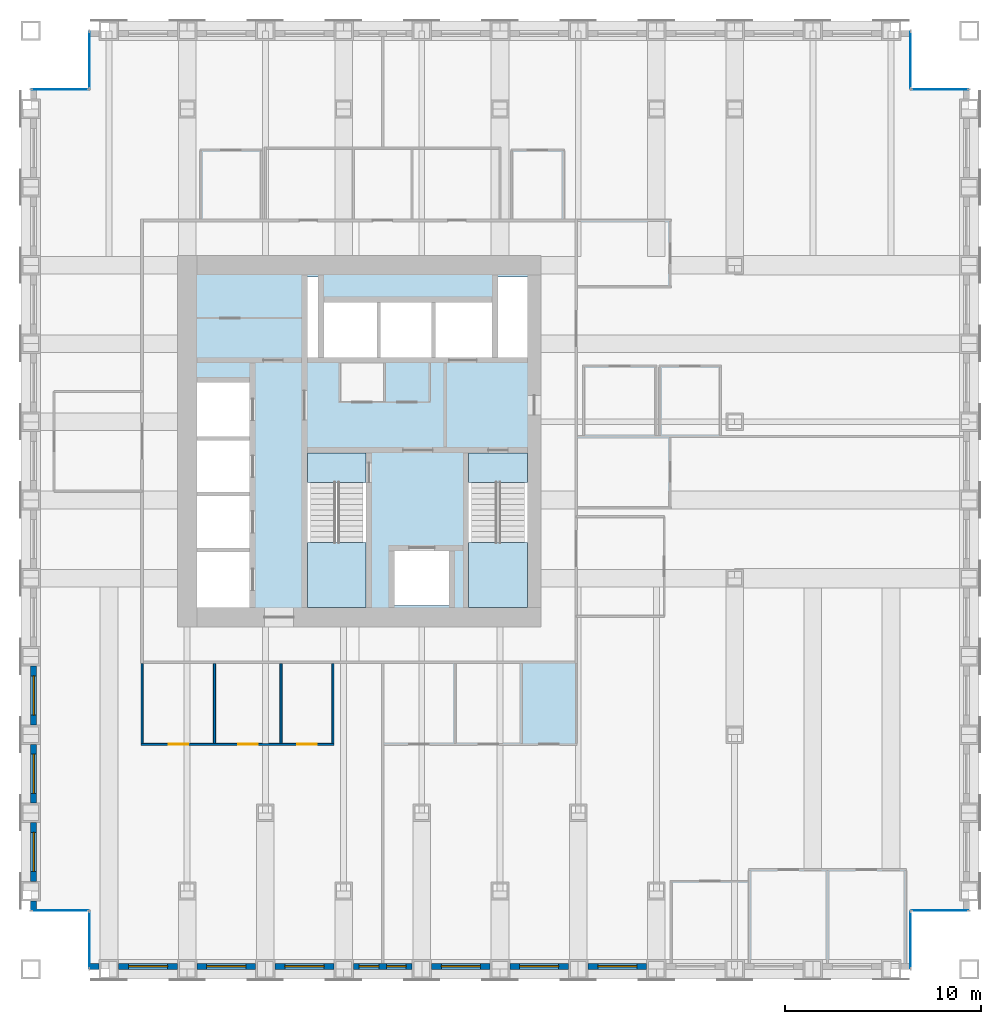
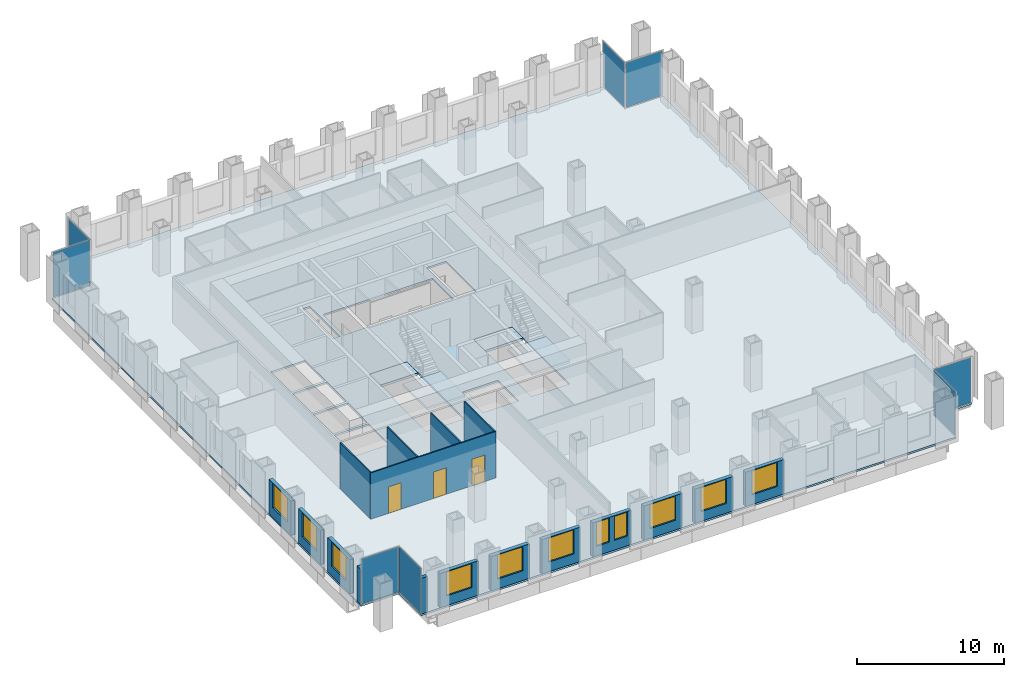
# One storey, part 10 of 16: 17 walls, 11 windows, 8 plates, 5 slabs, 3 doors, 14 openings, 10 elements without a shape of their own.
"""IFC4 building model written with IfcOpenShell, lengths in metres."""

from ifc_helpers import new_model, si_unit, direction, frame, frame_2d, origin, origin_2d, place, context, subcontext, project, spatial, polyline, rectangle, outline, extrude, material, layer, layer_set, type_object, element, fill, aggregate, save


model = new_model("IFC4")

# Units and contexts
model_context = context("Model", 3, precision=1e-05, world=origin(), true_north=direction((0.0, 1.0)))
body_context = subcontext(model_context, "Body", "Model", "MODEL_VIEW")
ifc_project = project(units=[si_unit("LENGTHUNIT", "METRE"), si_unit("AREAUNIT", "SQUARE_METRE"), si_unit("VOLUMEUNIT", "CUBIC_METRE"), si_unit("PLANEANGLEUNIT", "RADIAN"), si_unit("MASSUNIT", "GRAM", prefix="KILO")], contexts=[model_context])

# Site, building, storey
site_placement = place(None, origin())
site = spatial("IfcSite", under=ifc_project, at=site_placement, CompositionType="ELEMENT")
building_placement = place(site_placement, origin())
building = spatial("IfcBuilding", under=site, at=building_placement, Name="Rimbunsela Tower", CompositionType="ELEMENT")
storey_placement = place(building_placement, frame((0.0, 0.0, 97.39990234375)))
storey = spatial("IfcBuildingStorey", under=building, at=storey_placement, Name="L23", CompositionType="ELEMENT", Elevation=97.39990234375)

# Slab
ifc_material_1 = material(Name="Concrete fc' 35 MPa", Category="concrete")
ifc_layer_1 = layer(ifc_material_1, 0.14990234375)
ifc_layer_set_1 = layer_set([ifc_layer_1], Name="Floor slab 150")
slab_type_1 = type_object("IfcSlabType", Name="Floor slab 150", PredefinedType="FLOOR", material=ifc_layer_set_1)
slab_1_placement = place(storey_placement, frame((0.0, 0.0, -0.14990234375)))
element("IfcSlab", 1, at=slab_1_placement, inside=storey, type_object=slab_type_1, Name="Floor slab L23", PredefinedType="FLOOR", context=body_context, shape_type="SweptSolid", body=[
    extrude(outline(polyline([(13.0, 0.0), (55.0, 0.0), (55.0, 3.0), (58.0, 3.0), (58.0, 45.0), (55.0, 45.0), (55.0, 48.0), (13.0, 48.0), (13.0, 45.0), (10.0, 45.0), (10.0, 3.0), (13.0, 3.0), (13.0, 0.0)]), holes=[polyline([(21.199951171875, 21.35009765625), (18.5, 21.35009765625), (18.5, 18.5), (21.199951171875, 18.5), (21.199951171875, 21.35009765625)]), polyline([(21.199951171875, 21.550048828125), (21.199951171875, 24.199951171875), (18.5, 24.199951171875), (18.5, 21.550048828125), (21.199951171875, 21.550048828125)]), polyline([(21.199951171875, 27.050048828125), (18.5, 27.050048828125), (18.5, 24.39990234375), (21.199951171875, 24.39990234375), (21.199951171875, 27.050048828125)]), polyline([(21.199951171875, 27.25), (21.199951171875, 30.0), (18.5, 30.0), (18.5, 27.25), (21.199951171875, 27.25)]), polyline([(27.14990234375, 18.60009765625), (27.14990234375, 26.39990234375), (24.14990234375, 26.39990234375), (24.14990234375, 18.60009765625), (27.14990234375, 18.60009765625)]), polyline([(24.699951171875, 31.300048828125), (24.699951171875, 35.39990234375), (24.14990234375, 35.39990234375), (24.14990234375, 31.300048828125), (24.699951171875, 31.300048828125)]), polyline([(25.0, 34.10009765625), (25.0, 31.300048828125), (33.60009765625, 31.300048828125), (33.60009765625, 34.10009765625), (25.0, 34.10009765625)]), polyline([(31.39990234375, 21.39990234375), (28.60009765625, 21.39990234375), (28.60009765625, 18.60009765625), (31.39990234375, 18.60009765625), (31.39990234375, 21.39990234375)]), polyline([(35.39990234375, 18.60009765625), (35.39990234375, 26.39990234375), (32.39990234375, 26.39990234375), (32.39990234375, 18.60009765625), (35.39990234375, 18.60009765625)]), polyline([(35.39990234375, 31.300048828125), (35.39990234375, 35.39990234375), (33.89990234375, 35.39990234375), (33.89990234375, 31.300048828125), (35.39990234375, 31.300048828125)])]), origin(), (0.0, 0.0, 1.0), 0.14990234375),
])

# Curtain wall, plate
ifc_material_2 = material(Name="Aluminium curtain wall", Category="aluminium")
curtain_wall_type = type_object("IfcCurtainWallType", Name="Corner glazing", PredefinedType="USERDEFINED", material=ifc_material_2)
curtain_wall_1_placement = place(storey_placement, origin())
curtain_wall_1 = element("IfcCurtainWall", 2, at=curtain_wall_1_placement, inside=storey, type_object=curtain_wall_type, Name="Corner glazing L23", ObjectType="CORNER GLAZING", PredefinedType="USERDEFINED")
ifc_material_3 = material(Name="Clear double glazing", Category="glass")
ifc_layer_2 = layer(ifc_material_3, 0.028076171875)
ifc_layer_set_2 = layer_set([ifc_layer_2], Name="Glazed panel clear")
plate_type = type_object("IfcPlateType", Name="Glazed panel clear", PredefinedType="CURTAIN_PANEL", material=ifc_layer_set_2)
plate_1_placement = place(storey_placement, frame((55.0, 1.5, 0.06005859375), z_axis=(0.0, 0.0, 1.0), x_axis=(0.0, 1.0, 0.0)))
plate_1 = element("IfcPlate", 3, at=plate_1_placement, type_object=plate_type, Name="CW5 panel 1.1", PredefinedType="CURTAIN_PANEL", context=body_context, shape_type="SweptSolid", body=[
    extrude(rectangle(XDim=2.8798828125, YDim=0.028076171875, at=origin_2d()), origin(), (0.0, 0.0, 1.0), 3.72998046875),
])
aggregate(curtain_wall_1, [plate_1])

curtain_wall_2_placement = place(storey_placement, origin())
curtain_wall_2 = element("IfcCurtainWall", 4, at=curtain_wall_2_placement, inside=storey, type_object=curtain_wall_type, Name="Corner glazing L23", ObjectType="CORNER GLAZING", PredefinedType="USERDEFINED")
plate_2_placement = place(storey_placement, frame((56.5, 3.0, 0.06005859375), z_axis=(0.0, 0.0, 1.0), x_axis=(1.0, 0.0, 0.0)))
plate_2 = element("IfcPlate", 5, at=plate_2_placement, type_object=plate_type, Name="CW5 panel 1.1", PredefinedType="CURTAIN_PANEL", context=body_context, shape_type="SweptSolid", body=[
    extrude(rectangle(XDim=2.8798828125, YDim=0.028076171875, at=origin_2d()), origin(), (0.0, 0.0, 1.0), 3.72998046875),
])
aggregate(curtain_wall_2, [plate_2])

curtain_wall_3_placement = place(storey_placement, origin())
curtain_wall_3 = element("IfcCurtainWall", 6, at=curtain_wall_3_placement, inside=storey, type_object=curtain_wall_type, Name="Corner glazing L23", ObjectType="CORNER GLAZING", PredefinedType="USERDEFINED")
plate_3_placement = place(storey_placement, frame((56.5, 45.0, 0.06005859375), z_axis=(0.0, 0.0, 1.0), x_axis=(-1.0, 0.0, 0.0)))
plate_3 = element("IfcPlate", 7, at=plate_3_placement, type_object=plate_type, Name="CW5 panel 1.1", PredefinedType="CURTAIN_PANEL", context=body_context, shape_type="SweptSolid", body=[
    extrude(rectangle(XDim=2.8798828125, YDim=0.028076171875, at=origin_2d()), origin(), (0.0, 0.0, 1.0), 3.72998046875),
])
aggregate(curtain_wall_3, [plate_3])

curtain_wall_4_placement = place(storey_placement, origin())
curtain_wall_4 = element("IfcCurtainWall", 8, at=curtain_wall_4_placement, inside=storey, type_object=curtain_wall_type, Name="Corner glazing L23", ObjectType="CORNER GLAZING", PredefinedType="USERDEFINED")
plate_4_placement = place(storey_placement, frame((55.0, 46.5, 0.06005859375), z_axis=(0.0, 0.0, 1.0), x_axis=(0.0, 1.0, 0.0)))
plate_4 = element("IfcPlate", 9, at=plate_4_placement, type_object=plate_type, Name="CW5 panel 1.1", PredefinedType="CURTAIN_PANEL", context=body_context, shape_type="SweptSolid", body=[
    extrude(rectangle(XDim=2.8798828125, YDim=0.028076171875, at=origin_2d()), origin(), (0.0, 0.0, 1.0), 3.72998046875),
])
aggregate(curtain_wall_4, [plate_4])

curtain_wall_5_placement = place(storey_placement, origin())
curtain_wall_5 = element("IfcCurtainWall", 10, at=curtain_wall_5_placement, inside=storey, type_object=curtain_wall_type, Name="Corner glazing L23", ObjectType="CORNER GLAZING", PredefinedType="USERDEFINED")
plate_5_placement = place(storey_placement, frame((13.0, 46.5, 0.06005859375), z_axis=(0.0, 0.0, 1.0), x_axis=(0.0, -1.0, 0.0)))
plate_5 = element("IfcPlate", 11, at=plate_5_placement, type_object=plate_type, Name="CW5 panel 1.1", PredefinedType="CURTAIN_PANEL", context=body_context, shape_type="SweptSolid", body=[
    extrude(rectangle(XDim=2.8798828125, YDim=0.028076171875, at=origin_2d()), origin(), (0.0, 0.0, 1.0), 3.72998046875),
])
aggregate(curtain_wall_5, [plate_5])

curtain_wall_6_placement = place(storey_placement, origin())
curtain_wall_6 = element("IfcCurtainWall", 12, at=curtain_wall_6_placement, inside=storey, type_object=curtain_wall_type, Name="Corner glazing L23", ObjectType="CORNER GLAZING", PredefinedType="USERDEFINED")
plate_6_placement = place(storey_placement, frame((11.5, 45.0, 0.06005859375), z_axis=(0.0, 0.0, 1.0), x_axis=(-1.0, 0.0, 0.0)))
plate_6 = element("IfcPlate", 13, at=plate_6_placement, type_object=plate_type, Name="CW5 panel 1.1", PredefinedType="CURTAIN_PANEL", context=body_context, shape_type="SweptSolid", body=[
    extrude(rectangle(XDim=2.8798828125, YDim=0.028076171875, at=origin_2d()), origin(), (0.0, 0.0, 1.0), 3.72998046875),
])
aggregate(curtain_wall_6, [plate_6])

curtain_wall_7_placement = place(storey_placement, origin())
curtain_wall_7 = element("IfcCurtainWall", 14, at=curtain_wall_7_placement, inside=storey, type_object=curtain_wall_type, Name="Corner glazing L23", ObjectType="CORNER GLAZING", PredefinedType="USERDEFINED")
plate_7_placement = place(storey_placement, frame((11.5, 3.0, 0.06005859375), z_axis=(0.0, 0.0, 1.0), x_axis=(1.0, 0.0, 0.0)))
plate_7 = element("IfcPlate", 15, at=plate_7_placement, type_object=plate_type, Name="CW5 panel 1.1", PredefinedType="CURTAIN_PANEL", context=body_context, shape_type="SweptSolid", body=[
    extrude(rectangle(XDim=2.8798828125, YDim=0.028076171875, at=origin_2d()), origin(), (0.0, 0.0, 1.0), 3.72998046875),
])
aggregate(curtain_wall_7, [plate_7])

curtain_wall_8_placement = place(storey_placement, origin())
curtain_wall_8 = element("IfcCurtainWall", 16, at=curtain_wall_8_placement, inside=storey, type_object=curtain_wall_type, Name="Corner glazing L23", ObjectType="CORNER GLAZING", PredefinedType="USERDEFINED")
plate_8_placement = place(storey_placement, frame((13.0, 1.5, 0.06005859375), z_axis=(0.0, 0.0, 1.0), x_axis=(0.0, -1.0, 0.0)))
plate_8 = element("IfcPlate", 17, at=plate_8_placement, type_object=plate_type, Name="CW5 panel 1.1", PredefinedType="CURTAIN_PANEL", context=body_context, shape_type="SweptSolid", body=[
    extrude(rectangle(XDim=2.8798828125, YDim=0.028076171875, at=origin_2d()), origin(), (0.0, 0.0, 1.0), 3.72998046875),
])
aggregate(curtain_wall_8, [plate_8])

# Stair, slabs
ifc_material_4 = material(Name="Concrete fc' 35 MPa", Category="concrete")
stair_type = type_object("IfcStairType", Name="Exit stair 24 risers", PredefinedType="HALF_TURN_STAIR", material=ifc_material_4)
stair_1_placement = place(storey_placement, origin())
stair_1 = element("IfcStair", 18, at=stair_1_placement, inside=storey, type_object=stair_type, Name="Exit stair A L23", PredefinedType="HALF_TURN_STAIR")
ifc_material_5 = material(Name="Concrete fc' 35 MPa", Category="concrete")
ifc_layer_3 = layer(ifc_material_5, 0.199951171875)
ifc_layer_set_3 = layer_set([ifc_layer_3], Name="Stair landing 200")
slab_type_2 = type_object("IfcSlabType", Name="Stair landing 200", PredefinedType="LANDING", material=ifc_layer_set_3)
slab_2_placement = place(storey_placement, frame((0.0, 0.0, -0.199951171875)))
slab_2 = element("IfcSlab", 19, at=slab_2_placement, type_object=slab_type_2, Name="ST-A landing 1", PredefinedType="LANDING", context=body_context, shape_type="SweptSolid", body=[
    extrude(outline(polyline([(24.14990234375, 24.89990234375), (27.14990234375, 24.89990234375), (27.14990234375, 26.39990234375), (24.14990234375, 26.39990234375), (24.14990234375, 24.89990234375)])), origin(), (0.0, 0.0, 1.0), 0.199951171875),
])
slab_3_placement = place(storey_placement, frame((0.0, 0.0, 1.800048828125)))
slab_3 = element("IfcSlab", 20, at=slab_3_placement, type_object=slab_type_2, Name="ST-A landing 2", PredefinedType="LANDING", context=body_context, shape_type="SweptSolid", body=[
    extrude(outline(polyline([(24.14990234375, 18.5), (27.14990234375, 18.5), (27.14990234375, 21.820068359375), (24.14990234375, 21.820068359375), (24.14990234375, 18.5)])), origin(), (0.0, 0.0, 1.0), 0.199951171875),
])
aggregate(stair_1, [slab_2, slab_3])

stair_2_placement = place(storey_placement, origin())
stair_2 = element("IfcStair", 21, at=stair_2_placement, inside=storey, type_object=stair_type, Name="Exit stair B L23", PredefinedType="HALF_TURN_STAIR")
slab_4_placement = place(storey_placement, frame((0.0, 0.0, -0.199951171875)))
slab_4 = element("IfcSlab", 22, at=slab_4_placement, type_object=slab_type_2, Name="ST-B landing 1", PredefinedType="LANDING", context=body_context, shape_type="SweptSolid", body=[
    extrude(outline(polyline([(32.39990234375, 24.89990234375), (35.39990234375, 24.89990234375), (35.39990234375, 26.39990234375), (32.39990234375, 26.39990234375), (32.39990234375, 24.89990234375)])), origin(), (0.0, 0.0, 1.0), 0.199951171875),
])
slab_5_placement = place(storey_placement, frame((0.0, 0.0, 1.800048828125)))
slab_5 = element("IfcSlab", 23, at=slab_5_placement, type_object=slab_type_2, Name="ST-B landing 2", PredefinedType="LANDING", context=body_context, shape_type="SweptSolid", body=[
    extrude(outline(polyline([(32.39990234375, 18.5), (35.39990234375, 18.5), (35.39990234375, 21.820068359375), (32.39990234375, 21.820068359375), (32.39990234375, 18.5)])), origin(), (0.0, 0.0, 1.0), 0.199951171875),
])
aggregate(stair_2, [slab_4, slab_5])

# Wall, openings, doors
ifc_material_6 = material(Name="Gypsum board on steel studs", Category="steel")
ifc_layer_4 = layer(ifc_material_6, 0.10009765625)
ifc_layer_set_4 = layer_set([ifc_layer_4], Name="Office partition 100")
wall_type_1 = type_object("IfcWallType", Name="Office partition 100", PredefinedType="PARTITIONING", material=ifc_layer_set_4)
wall_1_placement = place(storey_placement, frame((15.64990234375, 11.5, 0.0), z_axis=(0.0, 0.0, 1.0), x_axis=(1.0, 0.0, 0.0)))
wall_1 = element("IfcWall", 24, at=wall_1_placement, inside=storey, type_object=wall_type_1, Name="Office partition", PredefinedType="PARTITIONING", context=body_context, shape_type="SweptSolid", body=[
    extrude(rectangle(XDim=9.85009765625, YDim=0.10009765625, at=frame_2d((4.925048828125, 0.0))), origin(), (0.0, 0.0, 1.0), 3.85009765625),
])
opening_1_placement = place(wall_1_placement, frame((1.39990234375, 0.0, 0.0)))
opening_1 = element("IfcOpeningElement", 25, at=opening_1_placement, cuts=wall_1, Name="Opening D17", PredefinedType="OPENING", context=body_context, shape_type="SweptSolid", body=[
    extrude(rectangle(XDim=1.0, YDim=2.199951171875, at=frame_2d((0.5, 1.10009765625))), frame((0.0, 0.06005859375, 0.0), z_axis=(0.0, -1.0, 0.0), x_axis=(1.0, 0.0, 0.0)), (0.0, 0.0, 1.0), 0.1201171875),
])
opening_2_placement = place(wall_1_placement, frame((4.949951171875, 0.0, 0.0)))
opening_2 = element("IfcOpeningElement", 26, at=opening_2_placement, cuts=wall_1, Name="Opening D16", PredefinedType="OPENING", context=body_context, shape_type="SweptSolid", body=[
    extrude(rectangle(XDim=1.0, YDim=2.199951171875, at=frame_2d((0.5, 1.10009765625))), frame((0.0, 0.06005859375, 0.0), z_axis=(0.0, -1.0, 0.0), x_axis=(1.0, 0.0, 0.0)), (0.0, 0.0, 1.0), 0.1201171875),
])
opening_3_placement = place(wall_1_placement, frame((7.97509765625, 0.0, 0.0)))
opening_3 = element("IfcOpeningElement", 27, at=opening_3_placement, cuts=wall_1, Name="Opening D16", PredefinedType="OPENING", context=body_context, shape_type="SweptSolid", body=[
    extrude(rectangle(XDim=1.0, YDim=2.199951171875, at=frame_2d((0.5, 1.10009765625))), frame((0.0, 0.06005859375, 0.0), z_axis=(0.0, -1.0, 0.0), x_axis=(1.0, 0.0, 0.0)), (0.0, 0.0, 1.0), 0.1201171875),
])
ifc_material_7 = material(Name="Glazed aluminium door", Category="aluminium")
door_type_1 = type_object("IfcDoorType", Name="Meeting room door 1000 glazed", OperationType="SINGLE_SWING_RIGHT", PredefinedType="DOOR", material=ifc_material_7)
door_1_placement = place(opening_1_placement, origin())
door_1 = element("IfcDoor", 28, at=door_1_placement, inside=storey, type_object=door_type_1, Name="Meeting room door", OperationType="SINGLE_SWING_RIGHT", OverallHeight=2.199951171875, OverallWidth=1.0, PredefinedType="DOOR", context=body_context, shape_type="SweptSolid", body=[
    extrude(rectangle(XDim=1.0, YDim=2.199951171875, at=frame_2d((0.5, 1.10009765625))), frame((0.0, 0.02490234375, 0.0), z_axis=(0.0, -1.0, 0.0), x_axis=(1.0, 0.0, 0.0)), (0.0, 0.0, 1.0), 0.050048828125),
])
fill(opening_1, door_1)
ifc_material_8 = material(Name="Timber door", Category="wood")
door_type_2 = type_object("IfcDoorType", Name="Office door 1000", OperationType="SINGLE_SWING_LEFT", PredefinedType="DOOR", material=ifc_material_8)
door_2_placement = place(opening_2_placement, origin())
door_2 = element("IfcDoor", 29, at=door_2_placement, inside=storey, type_object=door_type_2, Name="Office door", OperationType="SINGLE_SWING_LEFT", OverallHeight=2.199951171875, OverallWidth=1.0, PredefinedType="DOOR", context=body_context, shape_type="SweptSolid", body=[
    extrude(rectangle(XDim=1.0, YDim=2.199951171875, at=frame_2d((0.5, 1.10009765625))), frame((0.0, 0.02490234375, 0.0), z_axis=(0.0, -1.0, 0.0), x_axis=(1.0, 0.0, 0.0)), (0.0, 0.0, 1.0), 0.050048828125),
])
fill(opening_2, door_2)
door_3_placement = place(opening_3_placement, origin())
door_3 = element("IfcDoor", 30, at=door_3_placement, inside=storey, type_object=door_type_2, Name="Office door", OperationType="SINGLE_SWING_LEFT", OverallHeight=2.199951171875, OverallWidth=1.0, PredefinedType="DOOR", context=body_context, shape_type="SweptSolid", body=[
    extrude(rectangle(XDim=1.0, YDim=2.199951171875, at=frame_2d((0.5, 1.10009765625))), frame((0.0, 0.02490234375, 0.0), z_axis=(0.0, -1.0, 0.0), x_axis=(1.0, 0.0, 0.0)), (0.0, 0.0, 1.0), 0.050048828125),
])
fill(opening_3, door_3)

# Walls
for number, where, z_axis, x_axis, name in (
    (31, (15.699951171875, 11.550048828125, 0.0), (0.0, 0.0, 1.0), (0.0, 1.0, 0.0), "Office partition"),
    (32, (19.39990234375, 11.550048828125, 0.0), (0.0, 0.0, 1.0), (0.0, 1.0, 0.0), "Office partition"),
    (33, (22.800048828125, 11.550048828125, 0.0), (0.0, 0.0, 1.0), (0.0, 1.0, 0.0), "Office partition"),
    (34, (25.449951171875, 11.550048828125, 0.0), (0.0, 0.0, 1.0), (0.0, 1.0, 0.0), "Office partition"),
):
    element("IfcWall", number, at=place(storey_placement, frame(where, z_axis=z_axis, x_axis=x_axis)), inside=storey, type_object=wall_type_1, Name=name, PredefinedType="PARTITIONING", context=body_context, shape_type="SweptSolid", body=[
        extrude(rectangle(XDim=4.074951171875, YDim=0.10009765625, at=frame_2d((2.03759765625, 0.0))), origin(), (0.0, 0.0, 1.0), 3.85009765625),
    ])
ifc_material_9 = material(Name="Precast concrete fc' 35 MPa", Category="concrete")
ifc_layer_5 = layer(ifc_material_9, 0.300048828125)
ifc_layer_set_5 = layer_set([ifc_layer_5], Name="Precast concrete fc' 35 MPa")
wall_type_2 = type_object("IfcWallType", Name="Precast facade panel 300", PredefinedType="ELEMENTEDWALL", material=ifc_layer_set_5)
wall_2_placement = place(storey_placement, frame((13.030029296875, 0.14990234375, 0.0), z_axis=(0.0, 0.0, 1.0), x_axis=(1.0, 0.0, 0.0)))
element("IfcWall", 35, at=wall_2_placement, inside=storey, type_object=wall_type_2, Name="Facade panel S L23", PredefinedType="ELEMENTEDWALL", context=body_context, shape_type="SweptSolid", body=[
    extrude(rectangle(XDim=0.469970703125, YDim=0.300048828125, at=frame_2d((0.23486328125, 0.0))), origin(), (0.0, 0.0, 1.0), 2.9501953125),
])

# Wall, opening, window
wall_3_placement = place(storey_placement, frame((14.5, 0.14990234375, 0.0), z_axis=(0.0, 0.0, 1.0), x_axis=(1.0, 0.0, 0.0)))
wall_3 = element("IfcWall", 36, at=wall_3_placement, inside=storey, type_object=wall_type_2, Name="Facade panel S L23", PredefinedType="ELEMENTEDWALL", context=body_context, shape_type="SweptSolid", body=[
    extrude(rectangle(XDim=3.0, YDim=0.300048828125, at=frame_2d((1.5, 0.0))), origin(), (0.0, 0.0, 1.0), 2.85009765625),
])
opening_4_placement = place(wall_3_placement, frame((0.5, 0.0, 0.800048828125)))
opening_4 = element("IfcOpeningElement", 37, at=opening_4_placement, cuts=wall_3, Name="Opening W1", PredefinedType="OPENING", context=body_context, shape_type="SweptSolid", body=[
    extrude(rectangle(XDim=2.0, YDim=2.0, at=frame_2d((1.0, 1.0))), frame((0.0, 0.159912109375, 0.0), z_axis=(0.0, -1.0, 0.0), x_axis=(1.0, 0.0, 0.0)), (0.0, 0.0, 1.0), 0.320068359375),
])
ifc_material_10 = material(Name="Clear glass in aluminium frame", Category="aluminium")
window_type_1 = type_object("IfcWindowType", Name="Window W1 2000x2000", PartitioningType="DOUBLE_PANEL_VERTICAL", PredefinedType="WINDOW", material=ifc_material_10)
window_1_placement = place(opening_4_placement, origin())
window_1 = element("IfcWindow", 38, at=window_1_placement, inside=storey, type_object=window_type_1, Name="Window L23", OverallHeight=2.0, OverallWidth=2.0, PartitioningType="SINGLE_PANEL", PredefinedType="WINDOW", context=body_context, shape_type="SweptSolid", body=[
    extrude(rectangle(XDim=2.0, YDim=2.0, at=frame_2d((1.0, 1.0))), frame((0.0, 0.030029296875, 0.0), z_axis=(0.0, -1.0, 0.0), x_axis=(1.0, 0.0, 0.0)), (0.0, 0.0, 1.0), 0.06005859375),
])
fill(opening_4, window_1)

wall_4_placement = place(storey_placement, frame((18.5, 0.14990234375, 0.0), z_axis=(0.0, 0.0, 1.0), x_axis=(1.0, 0.0, 0.0)))
wall_4 = element("IfcWall", 39, at=wall_4_placement, inside=storey, type_object=wall_type_2, Name="Facade panel S L23", PredefinedType="ELEMENTEDWALL", context=body_context, shape_type="SweptSolid", body=[
    extrude(rectangle(XDim=3.0, YDim=0.300048828125, at=frame_2d((1.5, 0.0))), origin(), (0.0, 0.0, 1.0), 2.85009765625),
])
opening_5_placement = place(wall_4_placement, frame((0.5, 0.0, 0.800048828125)))
opening_5 = element("IfcOpeningElement", 40, at=opening_5_placement, cuts=wall_4, Name="Opening W1", PredefinedType="OPENING", context=body_context, shape_type="SweptSolid", body=[
    extrude(rectangle(XDim=2.0, YDim=2.0, at=frame_2d((1.0, 1.0))), frame((0.0, 0.159912109375, 0.0), z_axis=(0.0, -1.0, 0.0), x_axis=(1.0, 0.0, 0.0)), (0.0, 0.0, 1.0), 0.320068359375),
])
window_2_placement = place(opening_5_placement, origin())
window_2 = element("IfcWindow", 41, at=window_2_placement, inside=storey, type_object=window_type_1, Name="Window L23", OverallHeight=2.0, OverallWidth=2.0, PartitioningType="SINGLE_PANEL", PredefinedType="WINDOW", context=body_context, shape_type="SweptSolid", body=[
    extrude(rectangle(XDim=2.0, YDim=2.0, at=frame_2d((1.0, 1.0))), frame((0.0, 0.030029296875, 0.0), z_axis=(0.0, -1.0, 0.0), x_axis=(1.0, 0.0, 0.0)), (0.0, 0.0, 1.0), 0.06005859375),
])
fill(opening_5, window_2)

wall_5_placement = place(storey_placement, frame((22.5, 0.14990234375, 0.0), z_axis=(0.0, 0.0, 1.0), x_axis=(1.0, 0.0, 0.0)))
wall_5 = element("IfcWall", 42, at=wall_5_placement, inside=storey, type_object=wall_type_2, Name="Facade panel S L23", PredefinedType="ELEMENTEDWALL", context=body_context, shape_type="SweptSolid", body=[
    extrude(rectangle(XDim=3.0, YDim=0.300048828125, at=frame_2d((1.5, 0.0))), origin(), (0.0, 0.0, 1.0), 2.85009765625),
])
opening_6_placement = place(wall_5_placement, frame((0.5, 0.0, 0.800048828125)))
opening_6 = element("IfcOpeningElement", 43, at=opening_6_placement, cuts=wall_5, Name="Opening W1", PredefinedType="OPENING", context=body_context, shape_type="SweptSolid", body=[
    extrude(rectangle(XDim=2.0, YDim=2.0, at=frame_2d((1.0, 1.0))), frame((0.0, 0.159912109375, 0.0), z_axis=(0.0, -1.0, 0.0), x_axis=(1.0, 0.0, 0.0)), (0.0, 0.0, 1.0), 0.320068359375),
])
window_3_placement = place(opening_6_placement, origin())
window_3 = element("IfcWindow", 44, at=window_3_placement, inside=storey, type_object=window_type_1, Name="Window L23", OverallHeight=2.0, OverallWidth=2.0, PartitioningType="SINGLE_PANEL", PredefinedType="WINDOW", context=body_context, shape_type="SweptSolid", body=[
    extrude(rectangle(XDim=2.0, YDim=2.0, at=frame_2d((1.0, 1.0))), frame((0.0, 0.030029296875, 0.0), z_axis=(0.0, -1.0, 0.0), x_axis=(1.0, 0.0, 0.0)), (0.0, 0.0, 1.0), 0.06005859375),
])
fill(opening_6, window_3)

# Wall, openings, windows
wall_6_placement = place(storey_placement, frame((26.5, 0.14990234375, 0.0), z_axis=(0.0, 0.0, 1.0), x_axis=(1.0, 0.0, 0.0)))
wall_6 = element("IfcWall", 45, at=wall_6_placement, inside=storey, type_object=wall_type_2, Name="Facade panel S L23", PredefinedType="ELEMENTEDWALL", context=body_context, shape_type="SweptSolid", body=[
    extrude(rectangle(XDim=3.0, YDim=0.300048828125, at=frame_2d((1.5, 0.0))), origin(), (0.0, 0.0, 1.0), 2.85009765625),
])
opening_7_placement = place(wall_6_placement, frame((0.300048828125, 0.0, 0.800048828125)))
opening_7 = element("IfcOpeningElement", 46, at=opening_7_placement, cuts=wall_6, Name="Opening W5", PredefinedType="OPENING", context=body_context, shape_type="SweptSolid", body=[
    extrude(rectangle(XDim=1.0, YDim=2.0, at=frame_2d((0.5, 1.0))), frame((0.0, 0.159912109375, 0.0), z_axis=(0.0, -1.0, 0.0), x_axis=(1.0, 0.0, 0.0)), (0.0, 0.0, 1.0), 0.320068359375),
])
opening_8_placement = place(wall_6_placement, frame((1.699951171875, 0.0, 0.800048828125)))
opening_8 = element("IfcOpeningElement", 47, at=opening_8_placement, cuts=wall_6, Name="Opening W5", PredefinedType="OPENING", context=body_context, shape_type="SweptSolid", body=[
    extrude(rectangle(XDim=1.0, YDim=2.0, at=frame_2d((0.5, 1.0))), frame((0.0, 0.159912109375, 0.0), z_axis=(0.0, -1.0, 0.0), x_axis=(1.0, 0.0, 0.0)), (0.0, 0.0, 1.0), 0.320068359375),
])
ifc_material_11 = material(Name="Clear glass in aluminium frame", Category="aluminium")
window_type_2 = type_object("IfcWindowType", Name="Window W5 1000x2000", PartitioningType="SINGLE_PANEL", PredefinedType="WINDOW", material=ifc_material_11)
window_4_placement = place(opening_7_placement, origin())
window_4 = element("IfcWindow", 48, at=window_4_placement, inside=storey, type_object=window_type_2, Name="Window L23", OverallHeight=2.0, OverallWidth=1.0, PartitioningType="SINGLE_PANEL", PredefinedType="WINDOW", context=body_context, shape_type="SweptSolid", body=[
    extrude(rectangle(XDim=1.0, YDim=2.0, at=frame_2d((0.5, 1.0))), frame((0.0, 0.030029296875, 0.0), z_axis=(0.0, -1.0, 0.0), x_axis=(1.0, 0.0, 0.0)), (0.0, 0.0, 1.0), 0.06005859375),
])
fill(opening_7, window_4)
window_5_placement = place(opening_8_placement, origin())
window_5 = element("IfcWindow", 49, at=window_5_placement, inside=storey, type_object=window_type_2, Name="Window L23", OverallHeight=2.0, OverallWidth=1.0, PartitioningType="SINGLE_PANEL", PredefinedType="WINDOW", context=body_context, shape_type="SweptSolid", body=[
    extrude(rectangle(XDim=1.0, YDim=2.0, at=frame_2d((0.5, 1.0))), frame((0.0, 0.030029296875, 0.0), z_axis=(0.0, -1.0, 0.0), x_axis=(1.0, 0.0, 0.0)), (0.0, 0.0, 1.0), 0.06005859375),
])
fill(opening_8, window_5)

# Wall, opening, window
wall_7_placement = place(storey_placement, frame((30.5, 0.14990234375, 0.0), z_axis=(0.0, 0.0, 1.0), x_axis=(1.0, 0.0, 0.0)))
wall_7 = element("IfcWall", 50, at=wall_7_placement, inside=storey, type_object=wall_type_2, Name="Facade panel S L23", PredefinedType="ELEMENTEDWALL", context=body_context, shape_type="SweptSolid", body=[
    extrude(rectangle(XDim=3.0, YDim=0.300048828125, at=frame_2d((1.5, 0.0))), origin(), (0.0, 0.0, 1.0), 2.85009765625),
])
opening_9_placement = place(wall_7_placement, frame((0.5, 0.0, 0.800048828125)))
opening_9 = element("IfcOpeningElement", 51, at=opening_9_placement, cuts=wall_7, Name="Opening W1", PredefinedType="OPENING", context=body_context, shape_type="SweptSolid", body=[
    extrude(rectangle(XDim=2.0, YDim=2.0, at=frame_2d((1.0, 1.0))), frame((0.0, 0.159912109375, 0.0), z_axis=(0.0, -1.0, 0.0), x_axis=(1.0, 0.0, 0.0)), (0.0, 0.0, 1.0), 0.320068359375),
])
window_6_placement = place(opening_9_placement, origin())
window_6 = element("IfcWindow", 52, at=window_6_placement, inside=storey, type_object=window_type_1, Name="Window L23", OverallHeight=2.0, OverallWidth=2.0, PartitioningType="SINGLE_PANEL", PredefinedType="WINDOW", context=body_context, shape_type="SweptSolid", body=[
    extrude(rectangle(XDim=2.0, YDim=2.0, at=frame_2d((1.0, 1.0))), frame((0.0, 0.030029296875, 0.0), z_axis=(0.0, -1.0, 0.0), x_axis=(1.0, 0.0, 0.0)), (0.0, 0.0, 1.0), 0.06005859375),
])
fill(opening_9, window_6)

wall_8_placement = place(storey_placement, frame((34.5, 0.14990234375, 0.0), z_axis=(0.0, 0.0, 1.0), x_axis=(1.0, 0.0, 0.0)))
wall_8 = element("IfcWall", 53, at=wall_8_placement, inside=storey, type_object=wall_type_2, Name="Facade panel S L23", PredefinedType="ELEMENTEDWALL", context=body_context, shape_type="SweptSolid", body=[
    extrude(rectangle(XDim=3.0, YDim=0.300048828125, at=frame_2d((1.5, 0.0))), origin(), (0.0, 0.0, 1.0), 2.85009765625),
])
opening_10_placement = place(wall_8_placement, frame((0.5, 0.0, 0.800048828125)))
opening_10 = element("IfcOpeningElement", 54, at=opening_10_placement, cuts=wall_8, Name="Opening W1", PredefinedType="OPENING", context=body_context, shape_type="SweptSolid", body=[
    extrude(rectangle(XDim=2.0, YDim=2.0, at=frame_2d((1.0, 1.0))), frame((0.0, 0.159912109375, 0.0), z_axis=(0.0, -1.0, 0.0), x_axis=(1.0, 0.0, 0.0)), (0.0, 0.0, 1.0), 0.320068359375),
])
window_7_placement = place(opening_10_placement, origin())
window_7 = element("IfcWindow", 55, at=window_7_placement, inside=storey, type_object=window_type_1, Name="Window L23", OverallHeight=2.0, OverallWidth=2.0, PartitioningType="SINGLE_PANEL", PredefinedType="WINDOW", context=body_context, shape_type="SweptSolid", body=[
    extrude(rectangle(XDim=2.0, YDim=2.0, at=frame_2d((1.0, 1.0))), frame((0.0, 0.030029296875, 0.0), z_axis=(0.0, -1.0, 0.0), x_axis=(1.0, 0.0, 0.0)), (0.0, 0.0, 1.0), 0.06005859375),
])
fill(opening_10, window_7)

wall_9_placement = place(storey_placement, frame((38.5, 0.14990234375, 0.0), z_axis=(0.0, 0.0, 1.0), x_axis=(1.0, 0.0, 0.0)))
wall_9 = element("IfcWall", 56, at=wall_9_placement, inside=storey, type_object=wall_type_2, Name="Facade panel S L23", PredefinedType="ELEMENTEDWALL", context=body_context, shape_type="SweptSolid", body=[
    extrude(rectangle(XDim=3.0, YDim=0.300048828125, at=frame_2d((1.5, 0.0))), origin(), (0.0, 0.0, 1.0), 2.85009765625),
])
opening_11_placement = place(wall_9_placement, frame((0.5, 0.0, 0.800048828125)))
opening_11 = element("IfcOpeningElement", 57, at=opening_11_placement, cuts=wall_9, Name="Opening W1", PredefinedType="OPENING", context=body_context, shape_type="SweptSolid", body=[
    extrude(rectangle(XDim=2.0, YDim=2.0, at=frame_2d((1.0, 1.0))), frame((0.0, 0.159912109375, 0.0), z_axis=(0.0, -1.0, 0.0), x_axis=(1.0, 0.0, 0.0)), (0.0, 0.0, 1.0), 0.320068359375),
])
window_8_placement = place(opening_11_placement, origin())
window_8 = element("IfcWindow", 58, at=window_8_placement, inside=storey, type_object=window_type_1, Name="Window L23", OverallHeight=2.0, OverallWidth=2.0, PartitioningType="SINGLE_PANEL", PredefinedType="WINDOW", context=body_context, shape_type="SweptSolid", body=[
    extrude(rectangle(XDim=2.0, YDim=2.0, at=frame_2d((1.0, 1.0))), frame((0.0, 0.030029296875, 0.0), z_axis=(0.0, -1.0, 0.0), x_axis=(1.0, 0.0, 0.0)), (0.0, 0.0, 1.0), 0.06005859375),
])
fill(opening_11, window_8)

# Wall
wall_10_placement = place(storey_placement, frame((10.14990234375, 3.5, 0.0), z_axis=(0.0, 0.0, 1.0), x_axis=(0.0, -1.0, 0.0)))
element("IfcWall", 59, at=wall_10_placement, inside=storey, type_object=wall_type_2, Name="Facade panel W L23", PredefinedType="ELEMENTEDWALL", context=body_context, shape_type="SweptSolid", body=[
    extrude(rectangle(XDim=0.469970703125, YDim=0.300048828125, at=frame_2d((0.23486328125, 0.0))), origin(), (0.0, 0.0, 1.0), 2.9501953125),
])

# Wall, opening, window
wall_11_placement = place(storey_placement, frame((10.14990234375, 7.5, 0.0), z_axis=(0.0, 0.0, 1.0), x_axis=(0.0, -1.0, 0.0)))
wall_11 = element("IfcWall", 60, at=wall_11_placement, inside=storey, type_object=wall_type_2, Name="Facade panel W L23", PredefinedType="ELEMENTEDWALL", context=body_context, shape_type="SweptSolid", body=[
    extrude(rectangle(XDim=3.0, YDim=0.300048828125, at=frame_2d((1.5, 0.0))), origin(), (0.0, 0.0, 1.0), 2.85009765625),
])
opening_12_placement = place(wall_11_placement, frame((0.5, 0.0, 0.800048828125)))
opening_12 = element("IfcOpeningElement", 61, at=opening_12_placement, cuts=wall_11, Name="Opening W1", PredefinedType="OPENING", context=body_context, shape_type="SweptSolid", body=[
    extrude(rectangle(XDim=2.0, YDim=2.0, at=frame_2d((1.0, 1.0))), frame((0.0, 0.159912109375, 0.0), z_axis=(0.0, -1.0, 0.0), x_axis=(1.0, 0.0, 0.0)), (0.0, 0.0, 1.0), 0.320068359375),
])
window_9_placement = place(opening_12_placement, origin())
window_9 = element("IfcWindow", 62, at=window_9_placement, inside=storey, type_object=window_type_1, Name="Window L23", OverallHeight=2.0, OverallWidth=2.0, PartitioningType="SINGLE_PANEL", PredefinedType="WINDOW", context=body_context, shape_type="SweptSolid", body=[
    extrude(rectangle(XDim=2.0, YDim=2.0, at=frame_2d((1.0, 1.0))), frame((0.0, 0.030029296875, 0.0), z_axis=(0.0, -1.0, 0.0), x_axis=(1.0, 0.0, 0.0)), (0.0, 0.0, 1.0), 0.06005859375),
])
fill(opening_12, window_9)

wall_12_placement = place(storey_placement, frame((10.14990234375, 11.5, 0.0), z_axis=(0.0, 0.0, 1.0), x_axis=(0.0, -1.0, 0.0)))
wall_12 = element("IfcWall", 63, at=wall_12_placement, inside=storey, type_object=wall_type_2, Name="Facade panel W L23", PredefinedType="ELEMENTEDWALL", context=body_context, shape_type="SweptSolid", body=[
    extrude(rectangle(XDim=3.0, YDim=0.300048828125, at=frame_2d((1.5, 0.0))), origin(), (0.0, 0.0, 1.0), 2.85009765625),
])
opening_13_placement = place(wall_12_placement, frame((0.5, 0.0, 0.800048828125)))
opening_13 = element("IfcOpeningElement", 64, at=opening_13_placement, cuts=wall_12, Name="Opening W1", PredefinedType="OPENING", context=body_context, shape_type="SweptSolid", body=[
    extrude(rectangle(XDim=2.0, YDim=2.0, at=frame_2d((1.0, 1.0))), frame((0.0, 0.159912109375, 0.0), z_axis=(0.0, -1.0, 0.0), x_axis=(1.0, 0.0, 0.0)), (0.0, 0.0, 1.0), 0.320068359375),
])
window_10_placement = place(opening_13_placement, origin())
window_10 = element("IfcWindow", 65, at=window_10_placement, inside=storey, type_object=window_type_1, Name="Window L23", OverallHeight=2.0, OverallWidth=2.0, PartitioningType="SINGLE_PANEL", PredefinedType="WINDOW", context=body_context, shape_type="SweptSolid", body=[
    extrude(rectangle(XDim=2.0, YDim=2.0, at=frame_2d((1.0, 1.0))), frame((0.0, 0.030029296875, 0.0), z_axis=(0.0, -1.0, 0.0), x_axis=(1.0, 0.0, 0.0)), (0.0, 0.0, 1.0), 0.06005859375),
])
fill(opening_13, window_10)

wall_13_placement = place(storey_placement, frame((10.14990234375, 15.5, 0.0), z_axis=(0.0, 0.0, 1.0), x_axis=(0.0, -1.0, 0.0)))
wall_13 = element("IfcWall", 66, at=wall_13_placement, inside=storey, type_object=wall_type_2, Name="Facade panel W L23", PredefinedType="ELEMENTEDWALL", context=body_context, shape_type="SweptSolid", body=[
    extrude(rectangle(XDim=3.0, YDim=0.300048828125, at=frame_2d((1.5, 0.0))), origin(), (0.0, 0.0, 1.0), 2.85009765625),
])
opening_14_placement = place(wall_13_placement, frame((0.5, 0.0, 0.800048828125)))
opening_14 = element("IfcOpeningElement", 67, at=opening_14_placement, cuts=wall_13, Name="Opening W1", PredefinedType="OPENING", context=body_context, shape_type="SweptSolid", body=[
    extrude(rectangle(XDim=2.0, YDim=2.0, at=frame_2d((1.0, 1.0))), frame((0.0, 0.159912109375, 0.0), z_axis=(0.0, -1.0, 0.0), x_axis=(1.0, 0.0, 0.0)), (0.0, 0.0, 1.0), 0.320068359375),
])
window_11_placement = place(opening_14_placement, origin())
window_11 = element("IfcWindow", 68, at=window_11_placement, inside=storey, type_object=window_type_1, Name="Window L23", OverallHeight=2.0, OverallWidth=2.0, PartitioningType="SINGLE_PANEL", PredefinedType="WINDOW", context=body_context, shape_type="SweptSolid", body=[
    extrude(rectangle(XDim=2.0, YDim=2.0, at=frame_2d((1.0, 1.0))), frame((0.0, 0.030029296875, 0.0), z_axis=(0.0, -1.0, 0.0), x_axis=(1.0, 0.0, 0.0)), (0.0, 0.0, 1.0), 0.06005859375),
])
fill(opening_14, window_11)

save(model, "model.ifc")
